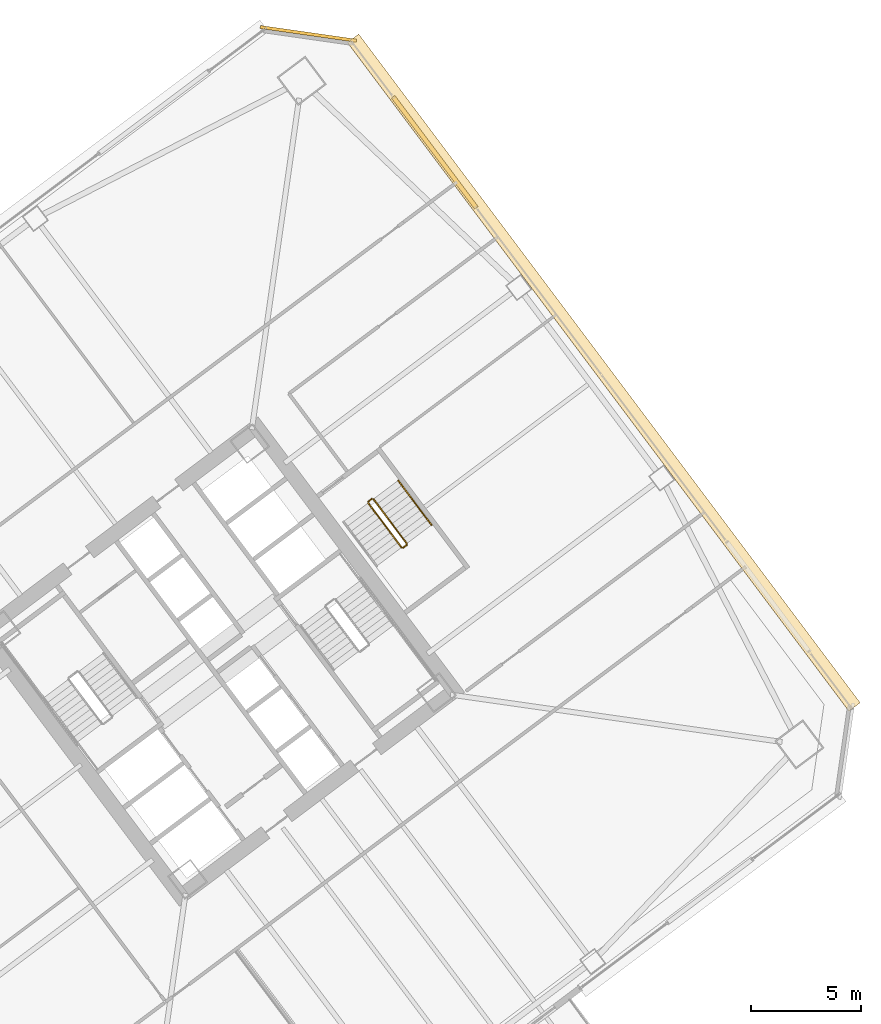
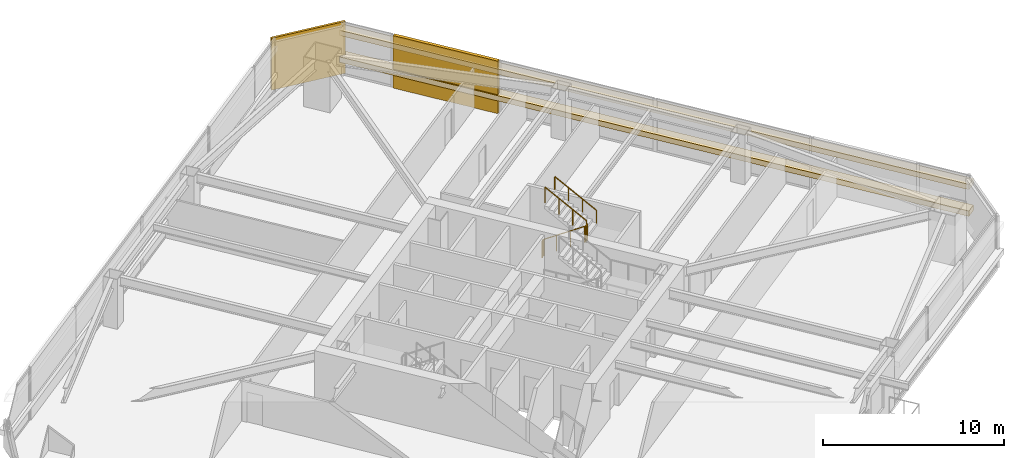
# One storey, part 51 of 51: 5 railings, 4 coverings.
"""IFC4 building model written with IfcOpenShell, lengths in metres."""

from ifc_helpers import new_model, si_unit, direction, frame, origin, origin_2d, place, context, subcontext, project, spatial, rectangle, extrude, material, layer, layer_set, type_object, element, save


model = new_model("IFC4")

# Units and contexts
model_context = context("Model", 3, precision=1e-05, world=origin(), true_north=direction((0.0, 1.0)))
body_context = subcontext(model_context, "Body", "Model", "MODEL_VIEW")
ifc_project = project(units=[si_unit("LENGTHUNIT", "METRE"), si_unit("AREAUNIT", "SQUARE_METRE"), si_unit("VOLUMEUNIT", "CUBIC_METRE"), si_unit("PLANEANGLEUNIT", "RADIAN"), si_unit("MASSUNIT", "GRAM", prefix="KILO")], contexts=[model_context])

# Site, building, storey
site_placement = place(None, origin())
site = spatial("IfcSite", under=ifc_project, at=site_placement, CompositionType="ELEMENT")
building_placement = place(site_placement, origin())
building = spatial("IfcBuilding", under=site, at=building_placement, Name="Tashvorn Skyway Center", CompositionType="ELEMENT")
storey_placement = place(building_placement, frame((0.0, 0.0, 49.449951171875)))
storey = spatial("IfcBuildingStorey", under=building, at=storey_placement, Name="L12", CompositionType="ELEMENT", Elevation=49.449951171875)

# Coverings
ifc_material_1 = material(Name="Precast concrete C40/50", Category="concrete")
ifc_layer_1 = layer(ifc_material_1, 0.199951171875)
ifc_layer_set_1 = layer_set([ifc_layer_1], Name="Precast concrete C40/50")
covering_type_1 = type_object("IfcCoveringType", Name="COV-BRACE-CLAD", PredefinedType="CLADDING", material=ifc_layer_set_1)
covering_1_placement = place(storey_placement, frame((123.7919921875, 55.077392578125, 0.0), z_axis=(0.0, 0.0, 1.0), x_axis=(0.600000004945, -0.799999996291, 0.0)))
element("IfcCovering", 1, at=covering_1_placement, inside=storey, type_object=covering_type_1, Name="Tower 2 L12 East Unitised Curtain Wall Mega-Brace Cladding Band 1", PredefinedType="CLADDING", context=body_context, shape_type="SweptSolid", body=[
    extrude(rectangle(XDim=6.29345703125, YDim=0.199951171875, at=origin_2d()), origin(), (0.0, 0.0, 1.0), 3.550048828125),
])
ifc_material_2 = material(Name="Perforated ceramic-coated bronze aluminium solar screen", Category="aluminium")
ifc_layer_2 = layer(ifc_material_2, 0.85009765625)
ifc_layer_set_2 = layer_set([ifc_layer_2], Name="Perforated ceramic-coated bronze aluminium solar screen")
covering_type_2 = type_object("IfcCoveringType", Name="COV-SOLAR-BAND", PredefinedType="CLADDING", material=ifc_layer_set_2)
for number, where, z_axis, x_axis, name in (
    (2, (131.4560546875, 45.092041015625, 0.919921875), (0.0, 0.0, 1.0), (0.600000004945, -0.799999996291, 0.0), "L12 Perforated Ceramic-Metal Solar Screen Louvre Band East 1"),
    (3, (131.4560546875, 45.092041015625, 2.72021484375), (0.0, 0.0, 1.0), (0.600000004945, -0.799999996291, 0.0), "L12 Perforated Ceramic-Metal Solar Screen Louvre Band East 2"),
):
    element("IfcCovering", number, at=place(storey_placement, frame(where, z_axis=z_axis, x_axis=x_axis)), inside=storey, type_object=covering_type_2, Name=name, PredefinedType="CLADDING", context=body_context, shape_type="SweptSolid", body=[
        extrude(rectangle(XDim=37.8798828125, YDim=0.639892578125, at=origin_2d()), origin(), (0.0, 0.0, 1.0), 0.360107421875),
    ])
ifc_layer_3 = layer(ifc_material_1, 0.35009765625)
ifc_layer_set_3 = layer_set([ifc_layer_3], Name="Precast concrete C40/50")
covering_type_3 = type_object("IfcCoveringType", Name="COV-STONE-TRIM", PredefinedType="CLADDING", material=ifc_layer_set_3)
covering_2_placement = place(storey_placement, frame((118.06396484375, 60.447998046875, 0.02001953125), z_axis=(0.0, 0.0, 1.0), x_axis=(0.989949494535, -0.141421350118, 0.0)))
element("IfcCovering", 4, at=covering_2_placement, inside=storey, type_object=covering_type_3, Name="Tower 2 L12 NE Mojave Limestone Corner Quoin", PredefinedType="CLADDING", context=body_context, shape_type="SweptSolid", body=[
    extrude(rectangle(XDim=4.402587890625, YDim=0.139892578125, at=origin_2d()), origin(), (0.0, 0.0, 1.0), 3.510009765625),
])

# Railings
ifc_material_3 = material(Name="Brushed stainless steel 316", Category="steel")
railing_type_1 = type_object("IfcRailingType", Name="RAIL-HAND-920", PredefinedType="HANDRAIL", material=ifc_material_3)
railing_1_placement = place(storey_placement, frame((123.64794921875, 38.18603515625, 1.95263671875)))
element("IfcRailing", 5, at=railing_1_placement, inside=storey, type_object=railing_type_1, Name="L12 ST-T2-3 stair handrail 2", PredefinedType="HANDRAIL", context=body_context, shape_type="SweptSolid", body=[
    extrude(rectangle(XDim=0.048095703125, YDim=0.048095703125, at=origin_2d()), frame((0.0, 0.0, 0.8759765625), z_axis=(-0.506768818287, 0.675664481285, 0.535409071218), x_axis=(-0.79998837352, -0.60001550166, 0.0)), (0.0, 0.0, 1.0), 2.983642578125),
    extrude(rectangle(XDim=0.0419921875, YDim=0.0419921875, at=origin_2d()), origin(), (0.0, 0.0, 1.0), 0.851806640625),
    extrude(rectangle(XDim=0.0419921875, YDim=0.0419921875, at=origin_2d()), frame((-0.50390625, 0.671875, 0.532470703125)), (0.0, 0.0, 1.0), 0.851806640625),
    extrude(rectangle(XDim=0.0419921875, YDim=0.0419921875, at=origin_2d()), frame((-1.008056640625, 1.343994140625, 1.06494140625)), (0.0, 0.0, 1.0), 0.851806640625),
    extrude(rectangle(XDim=0.0419921875, YDim=0.0419921875, at=origin_2d()), frame((-1.511962890625, 2.015869140625, 1.597412109375)), (0.0, 0.0, 1.0), 0.851806640625),
])
ifc_material_4 = material(Name="Painted galvanized steel S355", Category="steel")
railing_type_2 = type_object("IfcRailingType", Name="RAIL-STGUARD-1100", PredefinedType="GUARDRAIL", material=ifc_material_4)
railing_2_placement = place(storey_placement, frame((120.77587890625, 39.181884765625, 0.177490234375)))
element("IfcRailing", 6, at=railing_2_placement, inside=storey, type_object=railing_type_2, Name="L12 ST-T2-3 stair guard 1", PredefinedType="GUARDRAIL", context=body_context, shape_type="SweptSolid", body=[
    extrude(rectangle(XDim=0.048095703125, YDim=0.048095703125, at=origin_2d()), frame((0.0, 0.0, 1.076171875), z_axis=(0.506807425148, -0.675606863004, 0.535445235739), x_axis=(0.799941867976, 0.600077501544, 0.0)), (0.0, 0.0, 1.0), 2.98388671875),
    extrude(rectangle(XDim=0.0419921875, YDim=0.0419921875, at=origin_2d()), origin(), (0.0, 0.0, 1.0), 1.052001953125),
    extrude(rectangle(XDim=0.0419921875, YDim=0.0419921875, at=origin_2d()), frame((0.504150390625, -0.671875, 0.532470703125)), (0.0, 0.0, 1.0), 1.052001953125),
    extrude(rectangle(XDim=0.0419921875, YDim=0.0419921875, at=origin_2d()), frame((1.008056640625, -1.343994140625, 1.065185546875)), (0.0, 0.0, 1.0), 1.052001953125),
    extrude(rectangle(XDim=0.0419921875, YDim=0.0419921875, at=origin_2d()), frame((1.51220703125, -2.015869140625, 1.59765625)), (0.0, 0.0, 1.0), 1.052001953125),
])
railing_3_placement = place(storey_placement, frame((122.35791015625, 37.156005859375, 1.775146484375)))
element("IfcRailing", 7, at=railing_3_placement, inside=storey, type_object=railing_type_2, Name="L12 ST-T2-3 stair guard 2", PredefinedType="GUARDRAIL", context=body_context, shape_type="SweptSolid", body=[
    extrude(rectangle(XDim=0.048095703125, YDim=0.048095703125, at=origin_2d()), frame((0.0, 0.0, 1.076171875), z_axis=(0.800585412921, 0.599218655098, 0.0), x_axis=(-0.599218655098, 0.800585412921, 0.0)), (0.0, 0.0, 1.0), 0.199951171875),
    extrude(rectangle(XDim=0.0419921875, YDim=0.0419921875, at=origin_2d()), origin(), (0.0, 0.0, 1.0), 1.052001953125),
    extrude(rectangle(XDim=0.0419921875, YDim=0.0419921875, at=origin_2d()), frame((0.16015625, 0.119873046875, 0.0)), (0.0, 0.0, 1.0), 1.052001953125),
])
railing_4_placement = place(storey_placement, frame((122.528076171875, 37.345947265625, 1.95263671875)))
element("IfcRailing", 8, at=railing_4_placement, inside=storey, type_object=railing_type_2, Name="L12 ST-T2-3 stair guard 3", PredefinedType="GUARDRAIL", context=body_context, shape_type="SweptSolid", body=[
    extrude(rectangle(XDim=0.048095703125, YDim=0.048095703125, at=origin_2d()), frame((0.0, 0.0, 1.076171875), z_axis=(-0.506740800098, 0.675708949977, 0.535379469569), x_axis=(-0.800023250257, -0.599968998406, 0.0)), (0.0, 0.0, 1.0), 2.983642578125),
    extrude(rectangle(XDim=0.0419921875, YDim=0.0419921875, at=origin_2d()), origin(), (0.0, 0.0, 1.0), 1.052001953125),
    extrude(rectangle(XDim=0.0419921875, YDim=0.0419921875, at=origin_2d()), frame((-0.50390625, 0.672119140625, 0.532470703125)), (0.0, 0.0, 1.0), 1.052001953125),
    extrude(rectangle(XDim=0.0419921875, YDim=0.0419921875, at=origin_2d()), frame((-1.008056640625, 1.343994140625, 1.06494140625)), (0.0, 0.0, 1.0), 1.052001953125),
    extrude(rectangle(XDim=0.0419921875, YDim=0.0419921875, at=origin_2d()), frame((-1.511962890625, 2.01611328125, 1.597412109375)), (0.0, 0.0, 1.0), 1.052001953125),
])
railing_5_placement = place(storey_placement, frame((120.785888671875, 39.251953125, 0.0)))
element("IfcRailing", 9, at=railing_5_placement, inside=storey, type_object=railing_type_2, Name="L12 ST-T2-3 stair guard 4", PredefinedType="GUARDRAIL", context=body_context, shape_type="SweptSolid", body=[
    extrude(rectangle(XDim=0.048095703125, YDim=0.048095703125, at=origin_2d()), frame((0.0, 0.0, 1.076171875), z_axis=(0.8, 0.6, 0.0), x_axis=(-0.6, 0.8, 0.0)), (0.0, 0.0, 1.0), 0.2001953125),
    extrude(rectangle(XDim=0.0419921875, YDim=0.0419921875, at=origin_2d()), origin(), (0.0, 0.0, 1.0), 1.052001953125),
    extrude(rectangle(XDim=0.0419921875, YDim=0.0419921875, at=origin_2d()), frame((0.16015625, 0.1201171875, 0.0)), (0.0, 0.0, 1.0), 1.052001953125),
])

save(model, "model.ifc")
